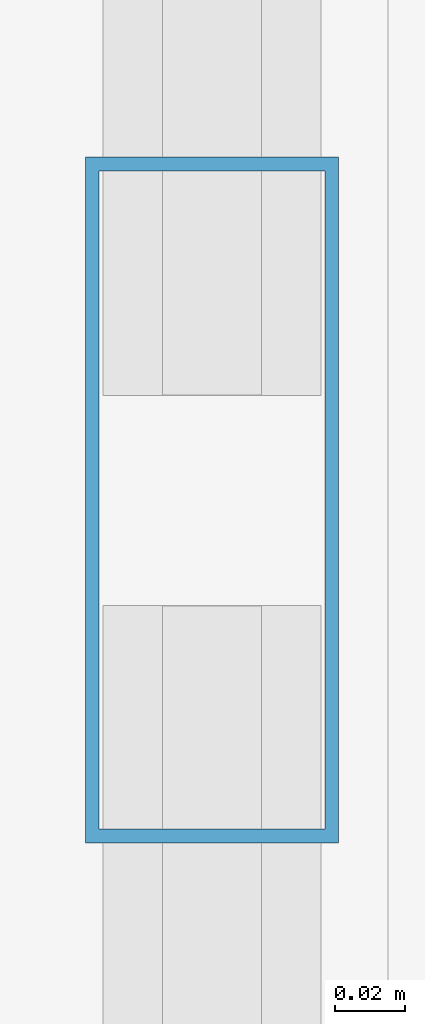
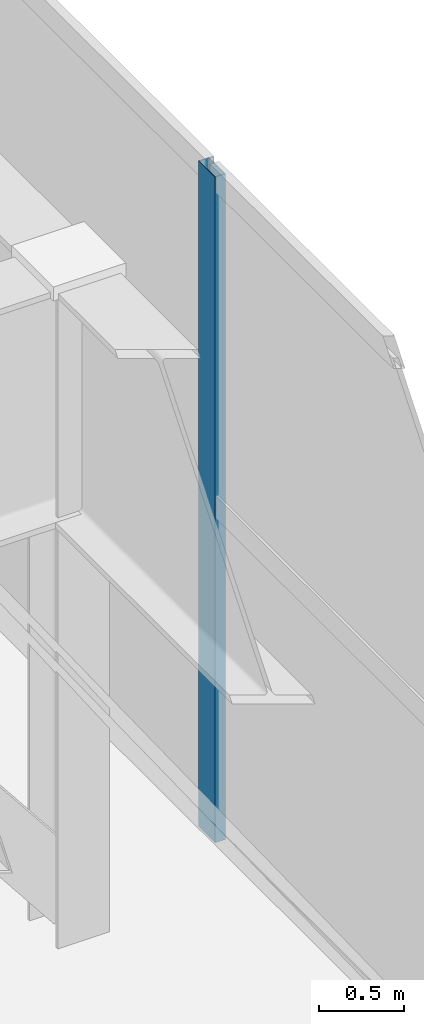
# One storey, part 9 of 21: 1 member, 1 element without a shape of its own.
"""IFC4 building model written with IfcOpenShell, lengths in metres."""

from ifc_helpers import new_model, si_unit, direction, frame, origin, origin_2d, place, context, subcontext, project, spatial, hollow_rectangle, extrude, material, layer, layer_set, material_profile, profile_set, type_object, element, aggregate, save


model = new_model("IFC4")

# Units and contexts
model_context = context("Model", 3, precision=1e-05, world=origin(), true_north=direction((0.0, 1.0)))
body_context = subcontext(model_context, "Body", "Model", "MODEL_VIEW")
ifc_project = project(units=[si_unit("LENGTHUNIT", "METRE"), si_unit("AREAUNIT", "SQUARE_METRE"), si_unit("VOLUMEUNIT", "CUBIC_METRE"), si_unit("PLANEANGLEUNIT", "RADIAN"), si_unit("MASSUNIT", "GRAM", prefix="KILO")], contexts=[model_context])

# Site, building, storey
site_placement = place(None, origin())
site = spatial("IfcSite", under=ifc_project, at=site_placement, CompositionType="ELEMENT")
building_placement = place(site_placement, origin())
building = spatial("IfcBuilding", under=site, at=building_placement, Name="Calvorn Quay Hotel", CompositionType="ELEMENT")
storey_placement = place(building_placement, frame((0.0, 0.0, 330.5)))
storey = spatial("IfcBuildingStorey", under=building, at=storey_placement, Name="L81", CompositionType="ELEMENT", Elevation=330.5)

# Curtain wall, member
ifc_material_1 = material(Name="Pale Anodised Aluminium and Laminated Glass", Category="aluminium")
ifc_layer = layer(ifc_material_1, 0.219970703125)
ifc_layer_set = layer_set([ifc_layer], Name="CW-SYS-CRN")
curtain_wall_type = type_object("IfcCurtainWallType", Name="CW-SYS-CRN", PredefinedType="NOTDEFINED", material=ifc_layer_set)
curtain_wall_placement = place(storey_placement, origin())
curtain_wall = element("IfcCurtainWall", 1, at=curtain_wall_placement, inside=storey, type_object=curtain_wall_type, Name="Crown Curtain Wall L81-C2", PredefinedType="NOTDEFINED")
ifc_material_2 = material(Name="Pale Anodised Aluminium 6063-T6", Category="aluminium")
ifc_material_profile = material_profile(ifc_material_2, hollow_rectangle(XDim=0.072021484375, YDim=0.195068359375, WallThickness=0.00390625, at=origin_2d()), Name="ALU-M195x72x4")
ifc_profile_set = profile_set([ifc_material_profile], Name="Pale Anodised Aluminium 6063-T6")
member_type = type_object("IfcMemberType", Name="CW-SYS-CRN-MUL", PredefinedType="MULLION", material=ifc_profile_set)
member_placement = place(storey_placement, frame((27.949951171875, 14.60009765625, 0.0), z_axis=(0.0, 0.0, 1.0), x_axis=(-1.0, 0.0, 0.0)))
member = element("IfcMember", 2, at=member_placement, type_object=member_type, Name="CW-L81-C2 mullion 2", PredefinedType="MULLION", context=body_context, shape_type="SweptSolid", body=[
    extrude(hollow_rectangle(XDim=0.072021484375, YDim=0.195068359375, WallThickness=0.00390625, at=origin_2d()), origin(), (0.0, 0.0, 1.0), 4.760009765625),
])
aggregate(curtain_wall, [member])

save(model, "model.ifc")
